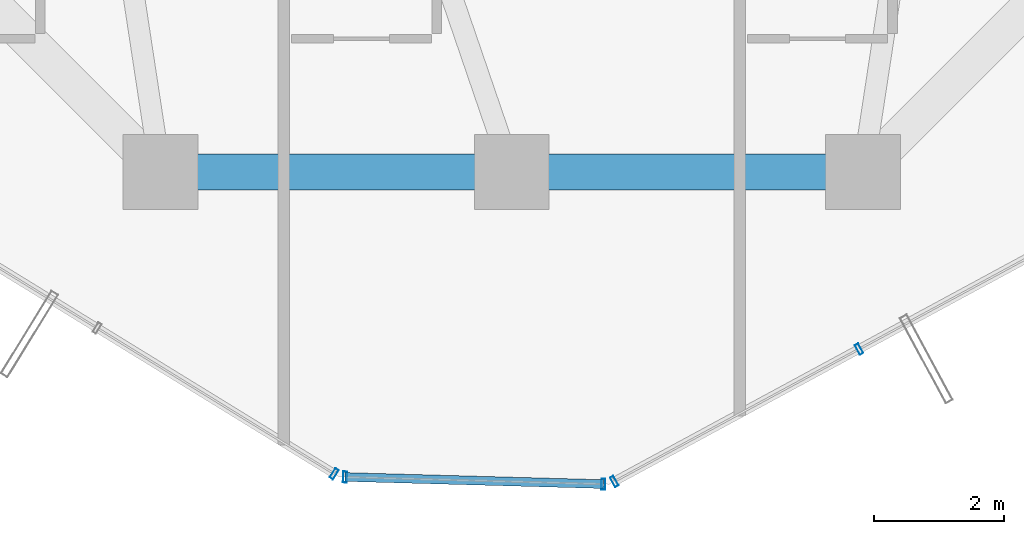
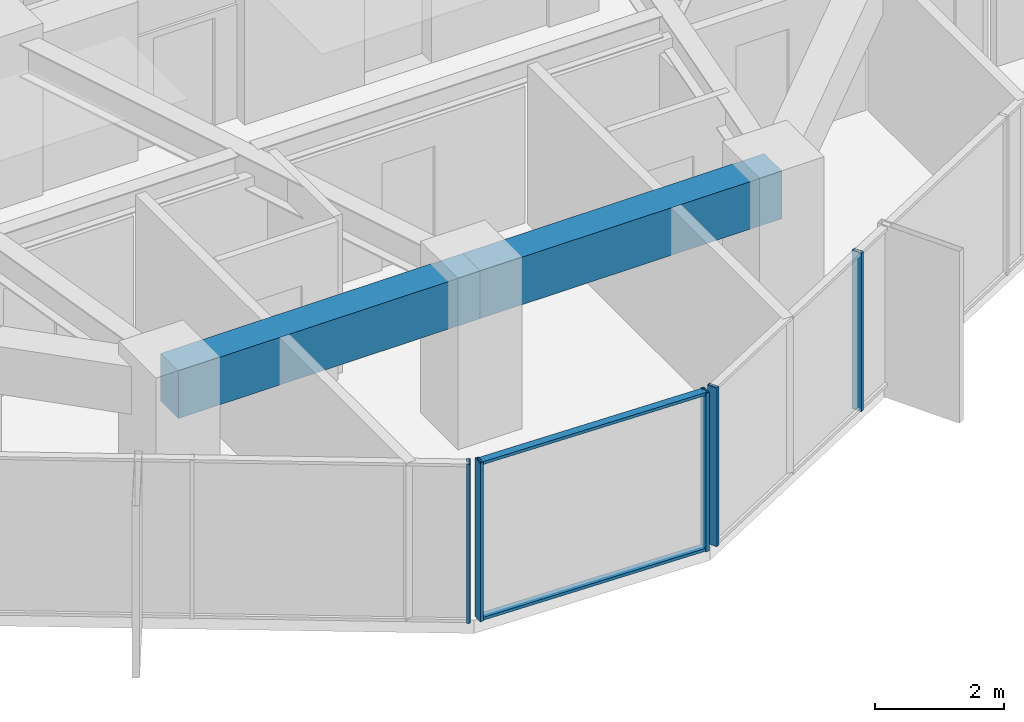
# One storey, part 6 of 30: 7 members, 2 beams, 3 elements without a shape of their own.
"""IFC4 building model written with IfcOpenShell, lengths in metres."""

import ifcopenshell
import ifcopenshell.guid

model = None  # the IFC model being written
_history = None  # IfcOwnerHistory: only IFC2X3 demands one
_inside = {}  # id of a spatial element -> (the spatial element, [elements in it])
_under = {}  # id of a project, library or spatial element -> (it, [spatial elements below it])
_declared = {}  # id of a project -> (the project, [libraries it declares])
_typed = {}  # id of a type object -> (the type object, [elements of that type])
_made_of = {}  # id of a material, layer set ... -> (it, [elements and type objects made of it])


def new_model(schema):
    """Start an empty IFC model of exactly this schema.

    Asked for "IFC4X3", IfcOpenShell would pick the latest addendum, in which some entities
    have other attributes; the version numbers below select the first issue.
    IFC2X3 requires an IfcOwnerHistory on every rooted entity: one is made here for all.
    """
    global model, _history
    if schema == "IFC4X3":
        model = ifcopenshell.file(schema_version=(4, 3, 0, 0))
    else:
        model = ifcopenshell.file(schema=schema)
    _inside.clear()
    _under.clear()
    _declared.clear()
    _typed.clear()
    _made_of.clear()
    _history = None
    if model.schema == "IFC2X3":
        org = make("IfcOrganization", Name="unknown")
        user = make(
            "IfcPersonAndOrganization",
            ThePerson=make("IfcPerson", FamilyName="unknown"),
            TheOrganization=org,
        )
        app = make(
            "IfcApplication",
            ApplicationDeveloper=org,
            Version="unknown",
            ApplicationFullName="unknown",
            ApplicationIdentifier="unknown",
        )
        _history = make(
            "IfcOwnerHistory",
            OwningUser=user,
            OwningApplication=app,
            ChangeAction="ADDED",
            CreationDate=0,
        )
    return model


def make(cls, **values):
    """One entity of the class cls with the attributes given. An attribute that is None is left unset."""
    return model.create_entity(
        cls, **{name: value for name, value in values.items() if value is not None}
    )


def rooted(cls, **values):
    """An entity with a GlobalId (a new one), such as an element, a storey or a relation."""
    return make(cls, GlobalId=ifcopenshell.guid.new(), OwnerHistory=_history, **values)


def si_unit(unit_type, name, prefix=None):
    """IfcSIUnit, for example si_unit("LENGTHUNIT", "METRE", prefix="MILLI")."""
    return make("IfcSIUnit", UnitType=unit_type, Prefix=prefix, Name=name)


def assignment(units):
    """IfcUnitAssignment: the units of a project."""
    return None if units is None else make("IfcUnitAssignment", Units=units)


def point(xyz):
    """IfcCartesianPoint."""
    return None if xyz is None else make("IfcCartesianPoint", Coordinates=xyz)


def direction(xyz):
    """IfcDirection."""
    return None if xyz is None else make("IfcDirection", DirectionRatios=xyz)


def frame(location, z_axis=None, x_axis=None):
    """IfcAxis2Placement3D, a coordinate frame: its origin and axes. An axis left out is left unset."""
    return make(
        "IfcAxis2Placement3D",
        Location=point(location),
        Axis=direction(z_axis),
        RefDirection=direction(x_axis),
    )


def frame_2d(location, x_axis=None):
    """IfcAxis2Placement2D, a coordinate frame in the plane: its origin and x axis."""
    return make(
        "IfcAxis2Placement2D", Location=point(location), RefDirection=direction(x_axis)
    )


def origin():
    """The frame at (0, 0, 0) with its axes left unset."""
    return frame((0.0, 0.0, 0.0))


def origin_2d():
    """The frame at (0, 0) in the plane with its x axis left unset."""
    return frame_2d((0.0, 0.0))


def place(relative_to, where):
    """IfcLocalPlacement: puts the frame where relative to a parent placement (None: the world)."""
    return make(
        "IfcLocalPlacement", PlacementRelTo=relative_to, RelativePlacement=where
    )


def context(
    kind, dimensions, precision=None, world=None, true_north=None, identifier=None
):
    """IfcGeometricRepresentationContext, for example the 3D "Model" context."""
    return make(
        "IfcGeometricRepresentationContext",
        ContextIdentifier=identifier,
        ContextType=kind,
        CoordinateSpaceDimension=dimensions,
        Precision=precision,
        WorldCoordinateSystem=world,
        TrueNorth=true_north,
    )


def subcontext(parent, identifier, kind, view, scale=None):
    """IfcGeometricRepresentationSubContext, for example "Body" below "Model"."""
    return make(
        "IfcGeometricRepresentationSubContext",
        ContextIdentifier=identifier,
        ContextType=kind,
        ParentContext=parent,
        TargetScale=scale,
        TargetView=view,
    )


def project(units=None, contexts=None):
    """IfcProject with its units and contexts."""
    return rooted(
        "IfcProject",
        Name="project",
        RepresentationContexts=contexts,
        UnitsInContext=assignment(units),
    )


def spatial(cls, under=None, at=None, **own):
    """A site, building, storey or space (cls), placed at a placement, below another one or the project."""
    s = rooted(cls, ObjectPlacement=at, **own)
    if under is not None:
        _under.setdefault(under.id(), (under, []))[1].append(s)
    return s


def profile(cls, at=None, kind="AREA", **sizes):
    """A parametric profile (cls). Its sizes go by their IFC names, for example OverallWidth=200.0."""
    return make(cls, ProfileType=kind, Position=at, **sizes)


def rectangle(**sizes):
    """IfcRectangleProfileDef."""
    return profile("IfcRectangleProfileDef", **sizes)


def hollow_rectangle(**sizes):
    """IfcRectangleHollowProfileDef."""
    return profile("IfcRectangleHollowProfileDef", **sizes)


def extrude(swept, where, along, depth):
    """IfcExtrudedAreaSolid: the profile swept, set in the frame where, extruded along a direction by depth."""
    return make(
        "IfcExtrudedAreaSolid",
        SweptArea=swept,
        Position=where,
        ExtrudedDirection=direction(along),
        Depth=depth,
    )


def shape(context_of_items, identifier, shape_type, items):
    """IfcShapeRepresentation: the items that make up one representation, for example the "Body"."""
    return make(
        "IfcShapeRepresentation",
        ContextOfItems=context_of_items,
        RepresentationIdentifier=identifier,
        RepresentationType=shape_type,
        Items=items,
    )


def source(mapping_origin, context_of_items, identifier, shape_type, items):
    """IfcRepresentationMap: a shape defined once, which mapped items show again and again."""
    return make(
        "IfcRepresentationMap",
        MappingOrigin=mapping_origin,
        MappedRepresentation=shape(context_of_items, identifier, shape_type, items),
    )


def transform(
    local_origin,
    x_axis=None,
    y_axis=None,
    z_axis=None,
    scale=None,
    scale2=None,
    scale3=None,
    uniform=True,
):
    """IfcCartesianTransformationOperator3D, or its non-uniform kind. x_axis, y_axis, z_axis: its Axis1, 2, 3."""
    if uniform:
        return make(
            "IfcCartesianTransformationOperator3D",
            Axis1=direction(x_axis),
            Axis2=direction(y_axis),
            LocalOrigin=point(local_origin),
            Scale=scale,
            Axis3=direction(z_axis),
        )
    return make(
        "IfcCartesianTransformationOperator3DnonUniform",
        Axis1=direction(x_axis),
        Axis2=direction(y_axis),
        LocalOrigin=point(local_origin),
        Scale=scale,
        Axis3=direction(z_axis),
        Scale2=scale2,
        Scale3=scale3,
    )


def mapped(mapping_source, mapping_target):
    """IfcMappedItem: shows the shape of a source again, moved by a transform."""
    return make(
        "IfcMappedItem", MappingSource=mapping_source, MappingTarget=mapping_target
    )


def material(Name=None, Category=None):
    """IfcMaterial."""
    return make("IfcMaterial", Name=Name, Category=Category)


def layer(
    of_material, thickness, ventilated=None, Name=None, Category=None, Priority=None
):
    """IfcMaterialLayer: one layer of a wall or slab, of a material (None: an air gap)."""
    return make(
        "IfcMaterialLayer",
        Material=of_material,
        LayerThickness=thickness,
        IsVentilated=ventilated,
        Name=Name,
        Category=Category,
        Priority=Priority,
    )


def layer_set(layers, Name=None):
    """IfcMaterialLayerSet."""
    return make("IfcMaterialLayerSet", MaterialLayers=layers, LayerSetName=Name)


def material_profile(
    of_material, cross_section, Name=None, Category=None, Priority=None
):
    """IfcMaterialProfile: a cross section and its material."""
    return make(
        "IfcMaterialProfile",
        Name=Name,
        Material=of_material,
        Profile=cross_section,
        Priority=Priority,
        Category=Category,
    )


def profile_set(profiles, Name=None, composite=None):
    """IfcMaterialProfileSet."""
    return make(
        "IfcMaterialProfileSet",
        Name=Name,
        MaterialProfiles=profiles,
        CompositeProfile=composite,
    )


def made_of(thing, what):
    """Note that an element or type object is made of a material, layer set ...; save() writes the relation."""
    if what is not None:
        _made_of.setdefault(what.id(), (what, []))[1].append(thing)
    return thing


def type_object(cls, material=None, **own):
    """A type object (cls), such as IfcWallType, which elements share."""
    return made_of(rooted(cls, **own), material)


def element(
    cls,
    number,
    at=None,
    inside=None,
    cuts=None,
    type_object=None,
    material=None,
    context=None,
    identifier="Body",
    shape_type=None,
    held_by="IfcProductDefinitionShape",
    body=None,
    shapes=None,
    **own,
):
    """One element of the class cls, such as IfcWall. Its Tag is "e" and its number.

    at: its placement. inside: the storey or other place that contains it. cuts: it is an
    opening in that element (IfcRelVoidsElement). A single representation is given by context,
    identifier, shape_type and body (its items); several are given by shapes. held_by: the class
    of the entity that holds the representations. save() writes the other relations.
    """
    e = rooted(cls, Tag="e%d" % number, ObjectPlacement=at, **own)
    if body is not None:
        shapes = [shape(context, identifier, shape_type, body)]
    if shapes is not None:
        e.Representation = make(held_by, Representations=shapes)
    if inside is not None:
        _inside.setdefault(inside.id(), (inside, []))[1].append(e)
    if cuts is not None:
        rooted(
            "IfcRelVoidsElement", RelatingBuildingElement=cuts, RelatedOpeningElement=e
        )
    if type_object is not None:
        _typed.setdefault(type_object.id(), (type_object, []))[1].append(e)
    return made_of(e, material)


def aggregate(whole, parts):
    """IfcRelAggregates: a whole, such as a stair, and the parts it consists of."""
    return rooted("IfcRelAggregates", RelatingObject=whole, RelatedObjects=parts)


def save(model, path):
    """Write the relations noted so far, then the file.

    IfcRelAggregates (storeys below a building ...), IfcRelContainedInSpatialStructure (elements
    in a storey), IfcRelDefinesByType, IfcRelAssociatesMaterial and IfcRelDeclares: one each for
    every whole, place, type object, material and project.
    """
    for whole, parts in _under.values():
        aggregate(whole, parts)
    for where, things in _inside.values():
        rooted(
            "IfcRelContainedInSpatialStructure",
            RelatedElements=things,
            RelatingStructure=where,
        )
    for kind, things in _typed.values():
        rooted("IfcRelDefinesByType", RelatedObjects=things, RelatingType=kind)
    for what, things in _made_of.values():
        rooted("IfcRelAssociatesMaterial", RelatedObjects=things, RelatingMaterial=what)
    for by, libraries in _declared.values():
        rooted("IfcRelDeclares", RelatingContext=by, RelatedDefinitions=libraries)
    model.write(path)


model = new_model("IFC4")

# Units and contexts
model_context = context("Model", 3, precision=1e-05, world=origin(), true_north=direction((0.0, 1.0)))
body_context = subcontext(model_context, "Body", "Model", "MODEL_VIEW")
ifc_project = project(units=[si_unit("LENGTHUNIT", "METRE"), si_unit("AREAUNIT", "SQUARE_METRE"), si_unit("VOLUMEUNIT", "CUBIC_METRE"), si_unit("PLANEANGLEUNIT", "RADIAN"), si_unit("MASSUNIT", "GRAM", prefix="KILO")], contexts=[model_context])

# Site, building, storey
site_placement = place(None, origin())
site = spatial("IfcSite", under=ifc_project, at=site_placement, CompositionType="ELEMENT")
building_placement = place(site_placement, origin())
building = spatial("IfcBuilding", under=site, at=building_placement, Name="Veraguas Prism Commons", CompositionType="ELEMENT")
storey_placement = place(building_placement, frame((0.0, 0.0, 123.0)))
storey = spatial("IfcBuildingStorey", under=building, at=storey_placement, Name="L34", CompositionType="ELEMENT", Elevation=123.0)

# Beams
ifc_material_1 = material(Name="Concrete C50/60", Category="concrete")
ifc_material_profile_1 = material_profile(ifc_material_1, rectangle(XDim=0.550048828125, YDim=0.89990234375, at=origin_2d()), Name="RC550X900")
ifc_profile_set_1 = profile_set([ifc_material_profile_1], Name="Concrete C50/60")
beam_type = type_object("IfcBeamType", Name="Perimeter Spandrel Lower RC 550x900", PredefinedType="SPANDREL", material=ifc_profile_set_1)
for number, where, z_axis, x_axis, name in (
    (1, (18.60009765625, 7.800048828125, 2.550048828125), (1.0, 0.0, 0.0), (0.0, 1.0, 0.0), "Perimeter Spandrel Beam L34-SP10"),
    (2, (24.0, 7.800048828125, 2.550048828125), (1.0, 0.0, 0.0), (0.0, 1.0, 0.0), "Perimeter Spandrel Beam L34-SP11"),
):
    element("IfcBeam", number, at=place(storey_placement, frame(where, z_axis=z_axis, x_axis=x_axis)), inside=storey, type_object=beam_type, Name=name, PredefinedType="SPANDREL", context=body_context, shape_type="SweptSolid", body=[
        extrude(rectangle(XDim=0.550048828125, YDim=0.89990234375, at=origin_2d()), origin(), (0.0, 0.0, 1.0), 5.39990234375),
    ])

# Curtain wall, member
ifc_material_2 = material(Name="Anodised aluminium EN AW-6063 T6", Category="aluminium")
ifc_layer = layer(ifc_material_2, 0.169921875, Name="Unitised Flush Curtain Wall Zone 2", Category="aluminium")
ifc_layer_set = layer_set([ifc_layer], Name="Anodised aluminium EN AW-6063 T6")
curtain_wall_type = type_object("IfcCurtainWallType", Name="Unitised Flush Curtain Wall Zone 2", PredefinedType="NOTDEFINED", material=ifc_layer_set)
curtain_wall_1_placement = place(storey_placement, origin())
curtain_wall_1 = element("IfcCurtainWall", 3, at=curtain_wall_1_placement, inside=storey, type_object=curtain_wall_type, Name="Tower Facade Curtain Wall L34-F4", PredefinedType="NOTDEFINED")
ifc_material_profile_2 = material_profile(ifc_material_2, hollow_rectangle(XDim=0.06005859375, YDim=0.169921875, WallThickness=0.00390625, at=origin_2d()), Name="AL60X170X4")
ifc_profile_set_2 = profile_set([ifc_material_profile_2], Name="Anodised aluminium EN AW-6063 T6")
member_type_1 = type_object("IfcMemberType", Name="Curtain Wall Mullion Lower AL 60x170x4", PredefinedType="MULLION", material=ifc_profile_set_2)
shared_shape_1 = source(origin(), body_context, "Body", "SweptSolid", [
    extrude(hollow_rectangle(XDim=0.06005859375, YDim=0.169921875, WallThickness=0.00390625, at=origin_2d()), origin(), (0.0, 0.0, 1.0), 3.0),
])
member_1_placement = place(storey_placement, frame((21.269775390625, 3.1611328125, 0.0), z_axis=(0.0, 0.0, 1.0), x_axis=(0.851907959812, -0.523691538989, 0.0)))
member_1 = element("IfcMember", 4, at=member_1_placement, type_object=member_type_1, Name="CW-Z2 Mullion 5", PredefinedType="MULLION", context=body_context, shape_type="MappedRepresentation", body=[
    mapped(shared_shape_1, transform((0.0, 0.0, 0.0), scale=1.0)),
])
aggregate(curtain_wall_1, [member_1])

# Curtain wall, members
curtain_wall_2_placement = place(storey_placement, origin())
curtain_wall_2 = element("IfcCurtainWall", 5, at=curtain_wall_2_placement, inside=storey, type_object=curtain_wall_type, Name="Tower Facade Curtain Wall L34-F5", PredefinedType="NOTDEFINED")
member_2_placement = place(storey_placement, frame((25.577392578125, 3.04248046875, 0.0), z_axis=(0.0, 0.0, 1.0), x_axis=(0.879484156418, 0.475928165389, 0.0)))
member_2 = element("IfcMember", 6, at=member_2_placement, type_object=member_type_1, Name="CW-Z2 Mullion 1", PredefinedType="MULLION", context=body_context, shape_type="MappedRepresentation", body=[
    mapped(shared_shape_1, transform((0.0, 0.0, 0.0), scale=1.0)),
])
member_3_placement = place(storey_placement, frame((29.34033203125, 5.078857421875, 0.0), z_axis=(0.0, 0.0, 1.0), x_axis=(0.879484156418, 0.475928165389, 0.0)))
member_3 = element("IfcMember", 7, at=member_3_placement, type_object=member_type_1, Name="CW-Z2 Mullion 2", PredefinedType="MULLION", context=body_context, shape_type="MappedRepresentation", body=[
    mapped(shared_shape_1, transform((0.0, 0.0, 0.0), scale=1.0)),
])
aggregate(curtain_wall_2, [member_2, member_3])

curtain_wall_3_placement = place(storey_placement, origin())
curtain_wall_3 = element("IfcCurtainWall", 8, at=curtain_wall_3_placement, inside=storey, type_object=curtain_wall_type, Name="Chamfer Curtain Wall L34-C5", PredefinedType="NOTDEFINED")
member_4_placement = place(storey_placement, frame((21.4365234375, 3.111572265625, 0.0), z_axis=(0.0, 0.0, 1.0), x_axis=(0.99962052214, -0.02754653728, 0.0)))
member_4 = element("IfcMember", 9, at=member_4_placement, type_object=member_type_1, Name="CW-Z2 Mullion 1", PredefinedType="MULLION", context=body_context, shape_type="MappedRepresentation", body=[
    mapped(shared_shape_1, transform((0.0, 0.0, 0.0), scale=1.0)),
])
member_5_placement = place(storey_placement, frame((25.408203125, 3.002197265625, 0.0), z_axis=(0.0, 0.0, 1.0), x_axis=(0.99962052214, -0.02754653728, 0.0)))
member_5 = element("IfcMember", 10, at=member_5_placement, type_object=member_type_1, Name="CW-Z2 Mullion 2", PredefinedType="MULLION", context=body_context, shape_type="MappedRepresentation", body=[
    mapped(shared_shape_1, transform((0.0, 0.0, 0.0), scale=1.0)),
])
ifc_material_profile_3 = material_profile(ifc_material_2, hollow_rectangle(XDim=0.054931640625, YDim=0.135009765625, WallThickness=0.0029296875, at=origin_2d()), Name="AL55X135X3")
ifc_profile_set_3 = profile_set([ifc_material_profile_3], Name="Anodised aluminium EN AW-6063 T6")
member_type_2 = type_object("IfcMemberType", Name="Curtain Wall Transom Standard AL 55x135x3", PredefinedType="USERDEFINED", material=ifc_profile_set_3)
shared_shape_2 = source(origin(), body_context, "Body", "SweptSolid", [
    extrude(hollow_rectangle(XDim=0.054931640625, YDim=0.135009765625, WallThickness=0.0029296875, at=origin_2d()), origin(), (0.0, 0.0, 1.0), 3.97314453125),
])
member_6_placement = place(storey_placement, frame((21.4365234375, 3.111572265625, 0.027587890625), z_axis=(0.999621024818, -0.02752828984, 0.0), x_axis=(0.0, 0.0, 1.0)))
member_6 = element("IfcMember", 11, at=member_6_placement, type_object=member_type_2, Name="CW-Z2 Transom 1", ObjectType="TRANSOM", PredefinedType="USERDEFINED", context=body_context, shape_type="MappedRepresentation", body=[
    mapped(shared_shape_2, transform((0.0, 0.0, 0.0), scale=1.0)),
])
member_7_placement = place(storey_placement, frame((21.4365234375, 3.111572265625, 2.972412109375), z_axis=(0.999621024818, -0.02752828984, 0.0), x_axis=(0.0, 0.0, 1.0)))
member_7 = element("IfcMember", 12, at=member_7_placement, type_object=member_type_2, Name="CW-Z2 Transom 2", ObjectType="TRANSOM", PredefinedType="USERDEFINED", context=body_context, shape_type="MappedRepresentation", body=[
    mapped(shared_shape_2, transform((0.0, 0.0, 0.0), scale=1.0)),
])
aggregate(curtain_wall_3, [member_4, member_5, member_6, member_7])

save(model, "model.ifc")
